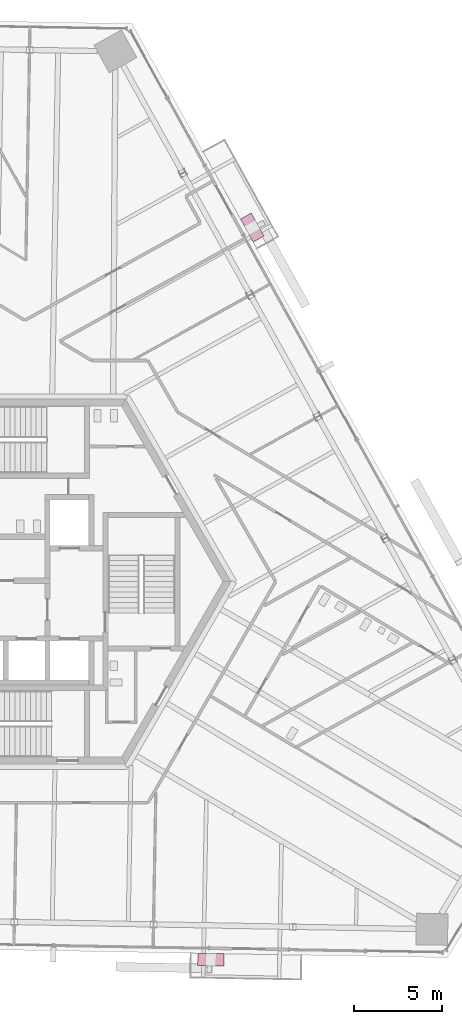
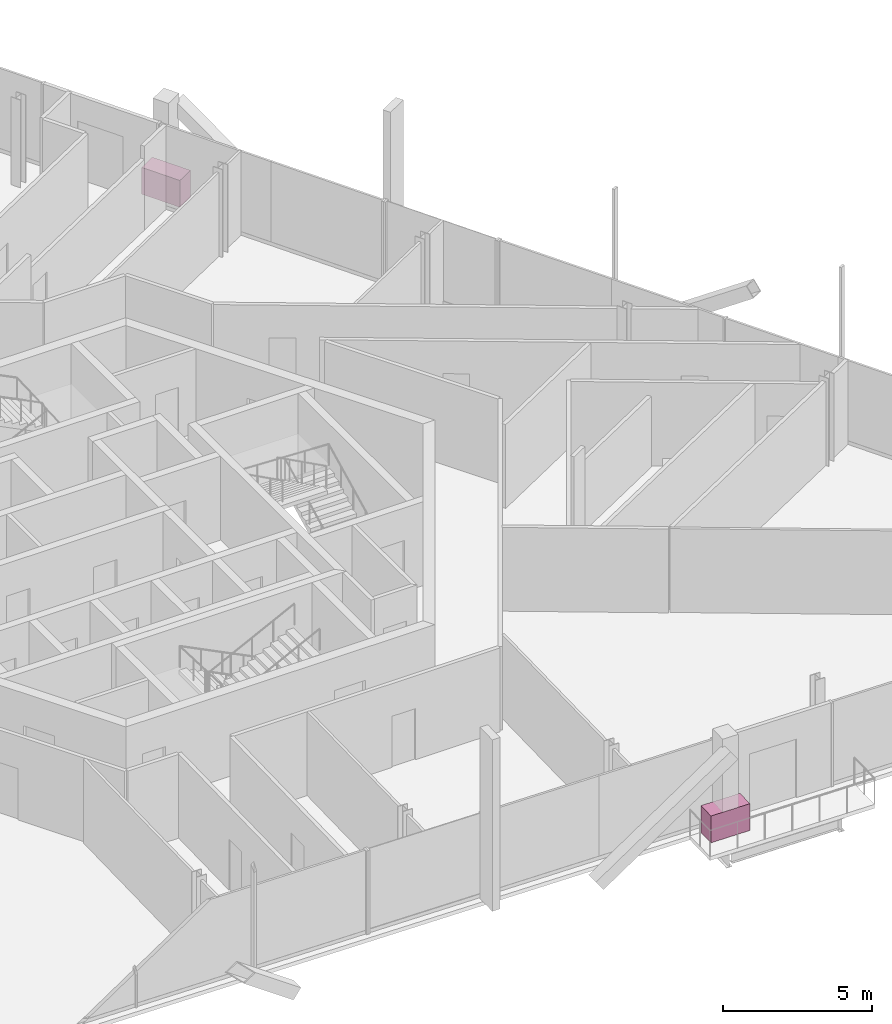
# One storey, part 20 of 21: 2 furniture elements.
"""IFC4 building model written with IfcOpenShell, lengths in metres."""

from ifc_helpers import new_model, si_unit, direction, frame, origin, origin_2d, place, context, subcontext, project, spatial, rectangle, extrude, source, transform, mapped, material, type_object, element, save


model = new_model("IFC4")

# Units and contexts
model_context = context("Model", 3, precision=1e-05, world=origin(), true_north=direction((0.0, 1.0)))
body_context = subcontext(model_context, "Body", "Model", "MODEL_VIEW")
ifc_project = project(units=[si_unit("LENGTHUNIT", "METRE"), si_unit("AREAUNIT", "SQUARE_METRE"), si_unit("VOLUMEUNIT", "CUBIC_METRE"), si_unit("PLANEANGLEUNIT", "RADIAN"), si_unit("MASSUNIT", "GRAM", prefix="KILO")], contexts=[model_context])

# Site, building, storey
site_placement = place(None, origin())
site = spatial("IfcSite", under=ifc_project, at=site_placement, CompositionType="ELEMENT")
building_placement = place(site_placement, origin())
building = spatial("IfcBuilding", under=site, at=building_placement, Name="Triune Harvest Tower", CompositionType="ELEMENT")
storey_placement = place(building_placement, frame((0.0, 0.0, 201.5)))
storey = spatial("IfcBuildingStorey", under=building, at=storey_placement, Name="L52", CompositionType="ELEMENT", Elevation=201.5)

# Furniture
ifc_material = material(Name="Concrete 40 MPa", Category="concrete")
furniture_type = type_object("IfcFurnitureType", Name="PB-1 structural planter", AssemblyPlace="SITE", PredefinedType="USERDEFINED", material=ifc_material)
shared_shape = source(origin(), body_context, "Body", "SweptSolid", [
    extrude(rectangle(XDim=1.5, YDim=0.699951171875, at=origin_2d()), origin(), (0.0, 0.0, 1.0), 1.10009765625),
])
for number, where, z_axis, x_axis, name in (
    (1, (13.207763671875, 20.1630859375, 0.0), (0.0, 0.0, 1.0), (-0.48480848305, 0.874620337497, 0.0), "Planter B5-F1 L52.9a"),
    (2, (10.85791015625, -21.52001953125, 0.0), (0.0, 0.0, 1.0), (0.999847708228, -0.017451657526, 0.0), "Planter B5-F5 L52.9a"),
):
    element("IfcFurniture", number, at=place(storey_placement, frame(where, z_axis=z_axis, x_axis=x_axis)), inside=storey, type_object=furniture_type, Name=name, ObjectType="PLANTER", PredefinedType="USERDEFINED", context=body_context, shape_type="MappedRepresentation", body=[
        mapped(shared_shape, transform((0.0, 0.0, 0.0), scale=1.0)),
    ])

save(model, "model.ifc")
